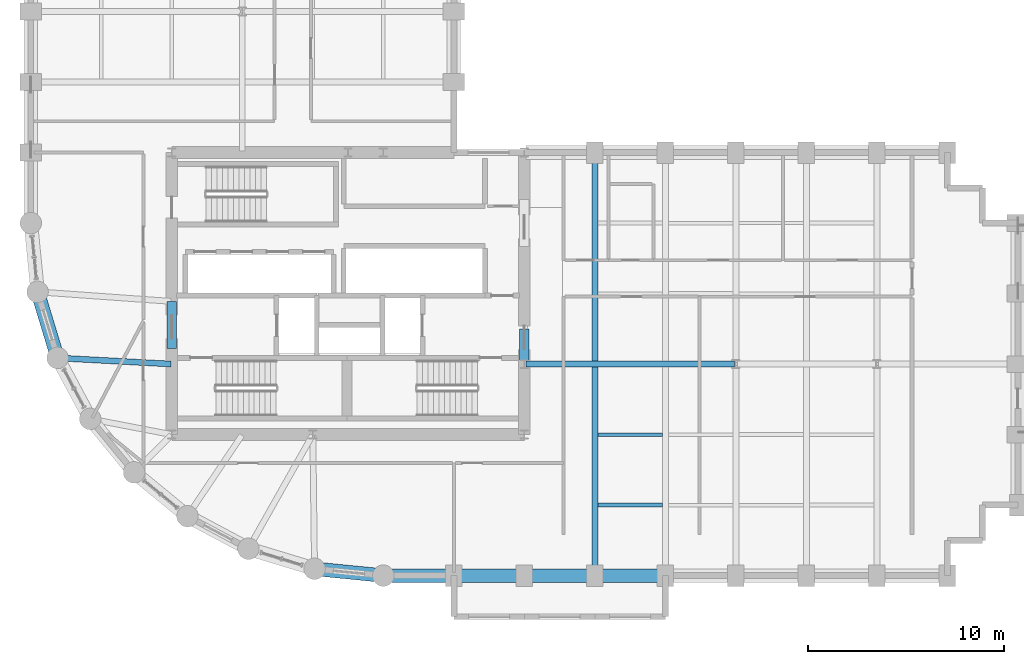
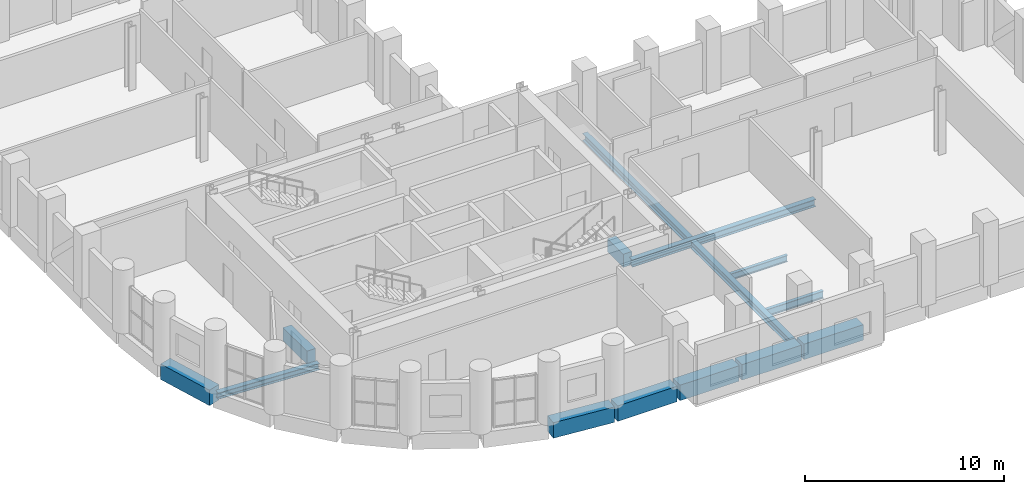
# One storey, part 3 of 11: 13 beams.
"""IFC4 building model written with IfcOpenShell, lengths in metres."""

from ifc_helpers import new_model, si_unit, direction, frame, origin, origin_2d, place, context, subcontext, project, spatial, rectangle, i_section, extrude, material, material_profile, profile_set, type_object, element, save


model = new_model("IFC4")

# Units and contexts
model_context = context("Model", 3, precision=1e-05, world=origin(), true_north=direction((0.0, 1.0)))
body_context = subcontext(model_context, "Body", "Model", "MODEL_VIEW")
ifc_project = project(units=[si_unit("LENGTHUNIT", "METRE"), si_unit("AREAUNIT", "SQUARE_METRE"), si_unit("VOLUMEUNIT", "CUBIC_METRE"), si_unit("PLANEANGLEUNIT", "RADIAN"), si_unit("MASSUNIT", "GRAM", prefix="KILO")], contexts=[model_context])

# Site, building, storey
site_placement = place(None, origin())
site = spatial("IfcSite", under=ifc_project, at=site_placement, CompositionType="ELEMENT")
building_placement = place(site_placement, origin())
building = spatial("IfcBuilding", under=site, at=building_placement, Name="Solnavia Interchange Tower", CompositionType="ELEMENT")
storey_placement = place(building_placement, frame((0.0, 0.0, 99.60009765625)))
storey = spatial("IfcBuildingStorey", under=building, at=storey_placement, Name="L24", CompositionType="ELEMENT", Elevation=99.60009765625)

# Beams
ifc_material_1 = material(Name="Concrete C50/60", Category="concrete")
ifc_material_profile_1 = material_profile(ifc_material_1, rectangle(XDim=0.5, YDim=0.800048828125, at=origin_2d()), Name="RC 500x800")
ifc_profile_set_1 = profile_set([ifc_material_profile_1], Name="Concrete C50/60")
beam_type_1 = type_object("IfcBeamType", Name="Beam-Coupling-RC500x800", PredefinedType="LINTEL", material=ifc_profile_set_1)
beam_1_placement = place(storey_placement, frame((14.39990234375, 15.199951171875, -0.400146484375), z_axis=(0.0, 1.0, 0.0), x_axis=(-1.0, 0.0, 0.0)))
element("IfcBeam", 1, at=beam_1_placement, inside=storey, type_object=beam_type_1, Name="CPB-L24-W1 Core coupling lintel beam", PredefinedType="LINTEL", context=body_context, shape_type="SweptSolid", body=[
    extrude(rectangle(XDim=0.5, YDim=0.800048828125, at=origin_2d()), origin(), (0.0, 0.0, 1.0), 2.400146484375),
])
beam_2_placement = place(storey_placement, frame((32.39990234375, 14.60009765625, -0.400146484375), z_axis=(0.0, 1.0, 0.0), x_axis=(-1.0, 0.0, 0.0)))
element("IfcBeam", 2, at=beam_2_placement, inside=storey, type_object=beam_type_1, Name="CPB-L24-E1 Core coupling lintel beam", PredefinedType="LINTEL", context=body_context, shape_type="SweptSolid", body=[
    extrude(rectangle(XDim=0.5, YDim=0.800048828125, at=origin_2d()), origin(), (0.0, 0.0, 1.0), 1.599853515625),
])
ifc_material_2 = material(Name="Steel S460", Category="steel")
ifc_material_profile_2 = material_profile(ifc_material_2, i_section(OverallWidth=0.300048828125, OverallDepth=0.449951171875, WebThickness=0.013916015625, FlangeThickness=0.02587890625, FilletRadius=0.027099609375, at=origin_2d()), Name="HEB 450")
ifc_profile_set_2 = profile_set([ifc_material_profile_2], Name="Steel S460")
beam_type_2 = type_object("IfcBeamType", Name="Beam-Girder-HEB450", PredefinedType="BEAM", material=ifc_profile_set_2)
beam_3_placement = place(storey_placement, frame((32.47998046875, 14.39990234375, -0.47509765625), z_axis=(1.0, 0.0, 0.0), x_axis=(0.0, 1.0, 0.0)))
element("IfcBeam", 3, at=beam_3_placement, inside=storey, type_object=beam_type_2, Name="GRD-L24-ES01 East wing spine girder", PredefinedType="BEAM", context=body_context, shape_type="SweptSolid", body=[
    extrude(i_section(OverallWidth=0.300048828125, OverallDepth=0.449951171875, WebThickness=0.013916015625, FlangeThickness=0.02587890625, FilletRadius=0.027099609375, at=origin_2d()), origin(), (0.0, 0.0, 1.0), 10.64013671875),
])
beam_4_placement = place(storey_placement, frame((36.0, 3.679931640625, -0.47509765625), z_axis=(0.0, 1.0, 0.0), x_axis=(-1.0, 0.0, 0.0)))
element("IfcBeam", 4, at=beam_4_placement, inside=storey, type_object=beam_type_2, Name="GRD-L24-EW04 East wing primary floor girder", PredefinedType="BEAM", context=body_context, shape_type="SweptSolid", body=[
    extrude(i_section(OverallWidth=0.300048828125, OverallDepth=0.449951171875, WebThickness=0.013916015625, FlangeThickness=0.02587890625, FilletRadius=0.027099609375, at=origin_2d()), origin(), (0.0, 0.0, 1.0), 21.440185546875),
])
ifc_material_3 = material(Name="Steel S355", Category="steel")
ifc_material_profile_3 = material_profile(ifc_material_3, i_section(OverallWidth=0.179931640625, OverallDepth=0.39990234375, WebThickness=0.008544921875, FlangeThickness=0.013427734375, FilletRadius=0.02099609375, at=origin_2d()), Name="IPE 400")
ifc_profile_set_3 = profile_set([ifc_material_profile_3], Name="Steel S355")
beam_type_3 = type_object("IfcBeamType", Name="Beam-Joist-IPE400", PredefinedType="JOIST", material=ifc_profile_set_3)
beam_5_placement = place(storey_placement, frame((36.14990234375, 10.800048828125, -0.4501953125), z_axis=(1.0, 0.0, 0.0), x_axis=(0.0, 1.0, 0.0)))
element("IfcBeam", 5, at=beam_5_placement, inside=storey, type_object=beam_type_3, Name="JST-L24-E05 East wing secondary joist", PredefinedType="JOIST", context=body_context, shape_type="SweptSolid", body=[
    extrude(i_section(OverallWidth=0.179931640625, OverallDepth=0.39990234375, WebThickness=0.008544921875, FlangeThickness=0.013427734375, FilletRadius=0.02099609375, at=origin_2d()), origin(), (0.0, 0.0, 1.0), 3.300048828125),
])
ifc_material_profile_4 = material_profile(ifc_material_3, i_section(OverallWidth=0.18994140625, OverallDepth=0.449951171875, WebThickness=0.009521484375, FlangeThickness=0.0146484375, FilletRadius=0.02099609375, at=origin_2d()), Name="IPE 450")
ifc_profile_set_4 = profile_set([ifc_material_profile_4], Name="Steel S355")
beam_type_4 = type_object("IfcBeamType", Name="Beam-Joist-IPE450", PredefinedType="JOIST", material=ifc_profile_set_4)
beam_6_placement = place(storey_placement, frame((36.14990234375, 7.199951171875, -0.47509765625), z_axis=(1.0, 0.0, 0.0), x_axis=(0.0, 1.0, 0.0)))
element("IfcBeam", 6, at=beam_6_placement, inside=storey, type_object=beam_type_4, Name="JST-L24-E01 East wing secondary joist", PredefinedType="JOIST", context=body_context, shape_type="SweptSolid", body=[
    extrude(i_section(OverallWidth=0.18994140625, OverallDepth=0.449951171875, WebThickness=0.009521484375, FlangeThickness=0.0146484375, FilletRadius=0.02099609375, at=origin_2d()), origin(), (0.0, 0.0, 1.0), 3.300048828125),
])
ifc_material_profile_5 = material_profile(ifc_material_3, i_section(OverallWidth=0.300048828125, OverallDepth=0.389892578125, WebThickness=0.010986328125, FlangeThickness=0.01904296875, FilletRadius=0.027099609375, at=origin_2d()), Name="HEA 400")
ifc_profile_set_5 = profile_set([ifc_material_profile_5], Name="Steel S355")
beam_type_5 = type_object("IfcBeamType", Name="Beam-Primary-HEA400", PredefinedType="BEAM", material=ifc_profile_set_5)
beam_7_placement = place(storey_placement, frame((8.64990234375, 14.707763671875, -0.445068359375), z_axis=(0.998570371303, -0.053452909696, 0.0), x_axis=(0.053452909696, 0.998570371303, 0.0)))
element("IfcBeam", 7, at=beam_7_placement, inside=storey, type_object=beam_type_5, Name="GRD-L24-DR21 Drum radial floor girder", PredefinedType="BEAM", context=body_context, shape_type="SweptSolid", body=[
    extrude(i_section(OverallWidth=0.300048828125, OverallDepth=0.389892578125, WebThickness=0.010986328125, FlangeThickness=0.01904296875, FilletRadius=0.027099609375, at=origin_2d()), origin(), (0.0, 0.0, 1.0), 5.71826171875),
])
ifc_material_profile_6 = material_profile(ifc_material_1, rectangle(XDim=0.699951171875, YDim=0.949951171875, at=origin_2d()), Name="RC 700x950")
ifc_profile_set_6 = profile_set([ifc_material_profile_6], Name="Concrete C50/60")
beam_type_6 = type_object("IfcBeamType", Name="Beam-Spandrel-RC700x950", PredefinedType="SPANDREL", material=ifc_profile_set_6)
beam_8_placement = place(storey_placement, frame((7.569091796875, 18.011474609375, -0.47509765625), z_axis=(0.290319223646, -0.956929855518, 0.0), x_axis=(0.956929855518, 0.290319223646, 0.0)))
element("IfcBeam", 8, at=beam_8_placement, inside=storey, type_object=beam_type_6, Name="SPB-L24-02 Framed-tube perimeter spandrel beam", PredefinedType="SPANDREL", context=body_context, shape_type="SweptSolid", body=[
    extrude(rectangle(XDim=0.699951171875, YDim=0.949951171875, at=origin_2d()), origin(), (0.0, 0.0, 1.0), 3.367919921875),
])
beam_9_placement = place(storey_placement, frame((21.767578125, 3.938232421875, -0.47509765625), z_axis=(0.995181774609, -0.098047108501, 0.0), x_axis=(0.098047108501, 0.995181774609, 0.0)))
element("IfcBeam", 9, at=beam_9_placement, inside=storey, type_object=beam_type_6, Name="SPB-L24-08 Framed-tube perimeter spandrel beam", PredefinedType="SPANDREL", context=body_context, shape_type="SweptSolid", body=[
    extrude(rectangle(XDim=0.699951171875, YDim=0.949951171875, at=origin_2d()), origin(), (0.0, 0.0, 1.0), 3.368896484375),
])
beam_10_placement = place(storey_placement, frame((25.280029296875, 3.60009765625, -0.47509765625), z_axis=(1.0, 0.0, 0.0), x_axis=(0.0, 1.0, 0.0)))
element("IfcBeam", 10, at=beam_10_placement, inside=storey, type_object=beam_type_6, Name="SPB-L24-09 Framed-tube perimeter spandrel beam", PredefinedType="SPANDREL", context=body_context, shape_type="SweptSolid", body=[
    extrude(rectangle(XDim=0.699951171875, YDim=0.949951171875, at=origin_2d()), origin(), (0.0, 0.0, 1.0), 3.43994140625),
])
beam_11_placement = place(storey_placement, frame((28.8798828125, 3.60009765625, -0.47509765625), z_axis=(1.0, 0.0, 0.0), x_axis=(0.0, 1.0, 0.0)))
element("IfcBeam", 11, at=beam_11_placement, inside=storey, type_object=beam_type_6, Name="SPB-L24-10 Framed-tube perimeter spandrel beam", PredefinedType="SPANDREL", context=body_context, shape_type="SweptSolid", body=[
    extrude(rectangle(XDim=0.699951171875, YDim=0.949951171875, at=origin_2d()), origin(), (0.0, 0.0, 1.0), 3.440185546875),
])
for number, where, z_axis, x_axis, name in (
    (12, (32.47998046875, 3.60009765625, -0.47509765625), (1.0, 0.0, 0.0), (0.0, 1.0, 0.0), "SPB-L24-11 Framed-tube perimeter spandrel beam"),
    (13, (36.080078125, 3.60009765625, -0.47509765625), (1.0, 0.0, 0.0), (0.0, 1.0, 0.0), "SPB-L24-12 Framed-tube perimeter spandrel beam"),
):
    element("IfcBeam", number, at=place(storey_placement, frame(where, z_axis=z_axis, x_axis=x_axis)), inside=storey, type_object=beam_type_6, Name=name, PredefinedType="SPANDREL", context=body_context, shape_type="SweptSolid", body=[
        extrude(rectangle(XDim=0.699951171875, YDim=0.949951171875, at=origin_2d()), origin(), (0.0, 0.0, 1.0), 3.43994140625),
    ])

save(model, "model.ifc")
